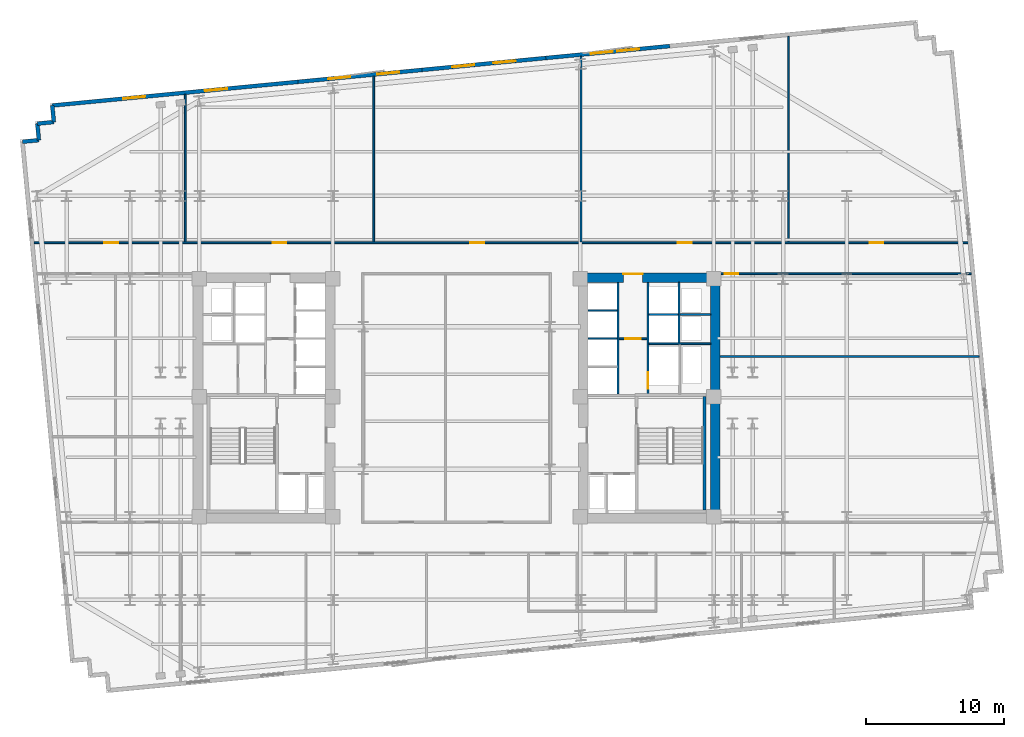
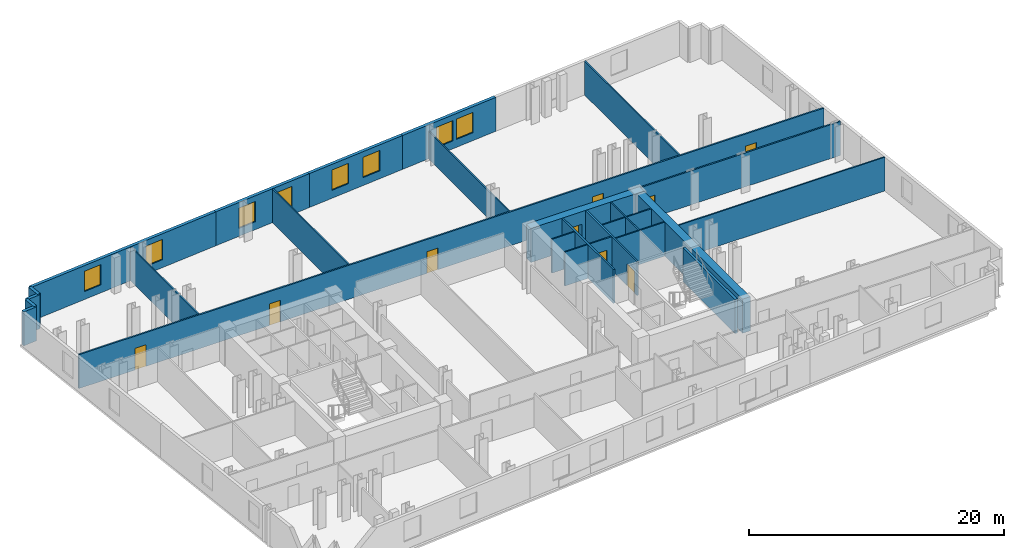
# One storey, part 7 of 10: 27 walls, 9 doors, 8 windows, 17 openings.
"""IFC4 building model written with IfcOpenShell, lengths in metres."""

from ifc_helpers import new_model, si_unit, direction, frame, frame_2d, origin, place, context, subcontext, project, spatial, rectangle, extrude, material, layer, layer_set, type_object, element, fill, save


model = new_model("IFC4")

# Units and contexts
model_context = context("Model", 3, precision=1e-05, world=origin(), true_north=direction((0.0, 1.0)))
body_context = subcontext(model_context, "Body", "Model", "MODEL_VIEW")
ifc_project = project(units=[si_unit("LENGTHUNIT", "METRE"), si_unit("AREAUNIT", "SQUARE_METRE"), si_unit("VOLUMEUNIT", "CUBIC_METRE"), si_unit("PLANEANGLEUNIT", "RADIAN"), si_unit("MASSUNIT", "GRAM", prefix="KILO")], contexts=[model_context])

# Site, building, storey
site_placement = place(None, origin())
site = spatial("IfcSite", under=ifc_project, at=site_placement, CompositionType="ELEMENT")
building_placement = place(site_placement, origin())
building = spatial("IfcBuilding", under=site, at=building_placement, Name="Velakula Bourse", CompositionType="ELEMENT")
storey_placement = place(building_placement, frame((0.0, 0.0, 91.449951171875)))
storey = spatial("IfcBuildingStorey", under=building, at=storey_placement, Name="L24", CompositionType="ELEMENT", Elevation=91.449951171875)

# Wall
ifc_material_1 = material(Name="Concrete M50 (fck 50 MPa)", Category="concrete")
ifc_layer_1 = layer(ifc_material_1, 0.2099609375, Name="Concrete M50 (fck 50 MPa)", Category="concrete")
ifc_layer_set_1 = layer_set([ifc_layer_1], Name="Concrete M50 (fck 50 MPa)")
wall_type_1 = type_object("IfcWallType", Name="WL-CORE-210", PredefinedType="SHEAR", material=ifc_layer_set_1)
wall_1_placement = place(storey_placement, frame((17.925048828125, -8.10009765625, 0.0), z_axis=(0.0, 0.0, 1.0), x_axis=(0.0, 1.0, 0.0)))
element("IfcWall", 1, at=wall_1_placement, inside=storey, type_object=wall_type_1, Name="L24 Core E Stairwell Shear Wall OUT", PredefinedType="SHEAR", context=body_context, shape_type="SweptSolid", body=[
    extrude(rectangle(XDim=8.2001953125, YDim=0.2099609375, at=frame_2d((4.10009765625, 0.0))), origin(), (0.0, 0.0, 1.0), 3.27001953125),
])

# Wall, opening, door
ifc_material_2 = material(Name="Concrete M70 (fck 70 MPa)", Category="concrete")
ifc_layer_2 = layer(ifc_material_2, 0.699951171875, Name="Concrete M70 (fck 70 MPa)", Category="concrete")
ifc_layer_set_2 = layer_set([ifc_layer_2], Name="Concrete M70 (fck 70 MPa)")
wall_type_2 = type_object("IfcWallType", Name="WL-CORE-700", PredefinedType="SHEAR", material=ifc_layer_set_2)
wall_2_placement = place(storey_placement, frame((8.800048828125, 8.699951171875, 0.0), z_axis=(0.0, 0.0, 1.0), x_axis=(1.0, 0.0, 0.0)))
wall_2 = element("IfcWall", 2, at=wall_2_placement, inside=storey, type_object=wall_type_2, Name="L24 Core E Shear Wall N", PredefinedType="SHEAR", context=body_context, shape_type="SweptSolid", body=[
    extrude(rectangle(XDim=10.25, YDim=0.699951171875, at=frame_2d((5.125, 0.0))), origin(), (0.0, 0.0, 1.0), 3.27001953125),
])
opening_1_placement = place(wall_2_placement, frame((3.25, 0.0, 0.0)))
opening_1 = element("IfcOpeningElement", 3, at=opening_1_placement, cuts=wall_2, Name="Opening D-LLE", PredefinedType="OPENING", context=body_context, shape_type="SweptSolid", body=[
    extrude(rectangle(XDim=1.39990234375, YDim=2.050048828125, at=frame_2d((0.699951171875, 1.02490234375))), frame((0.0, 0.35986328125, 0.0), z_axis=(0.0, -1.0, 0.0), x_axis=(1.0, 0.0, 0.0)), (0.0, 0.0, 1.0), 0.719970703125),
])
ifc_material_3 = material(Name="Fire-rated hardwood flush architectural door", Category="wood")
door_type_1 = type_object("IfcDoorType", Name="DR-DBL-FD60-1400", OperationType="DOUBLE_DOOR_SINGLE_SWING", PredefinedType="DOOR", material=ifc_material_3)
door_1_placement = place(opening_1_placement, origin())
door_1 = element("IfcDoor", 4, at=door_1_placement, inside=storey, type_object=door_type_1, Name="L24 Core E Lift Lobby Corridor Double Door", OperationType="DOUBLE_DOOR_SINGLE_SWING", OverallHeight=2.050048828125, OverallWidth=1.39990234375, PredefinedType="DOOR", context=body_context, shape_type="SweptSolid", body=[
    extrude(rectangle(XDim=1.39990234375, YDim=2.050048828125, at=frame_2d((0.699951171875, 1.02490234375))), frame((0.0, 0.294921875, 0.0), z_axis=(0.0, -1.0, 0.0), x_axis=(1.0, 0.0, 0.0)), (0.0, 0.0, 1.0), 0.050048828125),
])
fill(opening_1, door_1)

# Wall
wall_3_placement = place(storey_placement, frame((18.699951171875, -8.35009765625, 0.0), z_axis=(0.0, 0.0, 1.0), x_axis=(0.0, 1.0, 0.0)))
element("IfcWall", 5, at=wall_3_placement, inside=storey, type_object=wall_type_2, Name="L24 Core E Shear Wall E", PredefinedType="SHEAR", context=body_context, shape_type="SweptSolid", body=[
    extrude(rectangle(XDim=16.7001953125, YDim=0.699951171875, at=frame_2d((8.35009765625, 0.0))), origin(), (0.0, 0.0, 1.0), 3.27001953125),
])

# Wall, openings, windows
ifc_material_4 = material(Name="Red kilned clay facing brick masonry", Category="masonry")
ifc_layer_3 = layer(ifc_material_4, 0.280029296875, Name="Red kilned clay facing brick masonry", Category="masonry")
ifc_layer_set_3 = layer_set([ifc_layer_3], Name="Red kilned clay facing brick masonry")
wall_type_3 = type_object("IfcWallType", Name="WL-EXT-BRK-280", PredefinedType="STANDARD", material=ifc_layer_set_3)
wall_4_placement = place(storey_placement, frame((-29.2314453125, 21.138427734375, 0.0), z_axis=(0.0, 0.0, 1.0), x_axis=(0.995395780835, 0.095850088663, 0.0)))
wall_4 = element("IfcWall", 6, at=wall_4_placement, inside=storey, type_object=wall_type_3, Name="L24 N Brick Spandrel Wall B1", PredefinedType="STANDARD", context=body_context, shape_type="SweptSolid", body=[
    extrude(rectangle(XDim=17.83984375, YDim=0.280029296875, at=frame_2d((8.919921875, 0.0))), origin(), (0.0, 0.0, 1.0), 3.25),
])
opening_2_placement = place(wall_4_placement, frame((5.146728515625, 0.0, 0.760009765625)))
opening_2 = element("IfcOpeningElement", 7, at=opening_2_placement, cuts=wall_4, Name="Opening W-02", PredefinedType="OPENING", context=body_context, shape_type="SweptSolid", body=[
    extrude(rectangle(XDim=1.60009765625, YDim=1.949951171875, at=frame_2d((0.800048828125, 0.97509765625))), frame((0.0, 0.14990234375, 0.0), z_axis=(0.0, -1.0, 0.0), x_axis=(1.0, 0.0, 0.0)), (0.0, 0.0, 1.0), 0.300048828125),
])
opening_3_placement = place(wall_4_placement, frame((11.09326171875, 0.0, 0.760009765625)))
opening_3 = element("IfcOpeningElement", 8, at=opening_3_placement, cuts=wall_4, Name="Opening W-02", PredefinedType="OPENING", context=body_context, shape_type="SweptSolid", body=[
    extrude(rectangle(XDim=1.60009765625, YDim=1.949951171875, at=frame_2d((0.800048828125, 0.97509765625))), frame((0.0, 0.14990234375, 0.0), z_axis=(0.0, -1.0, 0.0), x_axis=(1.0, 0.0, 0.0)), (0.0, 0.0, 1.0), 0.300048828125),
])
ifc_material_5 = material(Name="Double-glazed solar-control Low-E glass", Category="glass")
window_type = type_object("IfcWindowType", Name="WIN-TWR-1600x2100", PartitioningType="SINGLE_PANEL", PredefinedType="WINDOW", material=ifc_material_5)
window_1_placement = place(opening_2_placement, origin())
window_1 = element("IfcWindow", 9, at=window_1_placement, inside=storey, type_object=window_type, Name="L24 Deep-Set Recessed Window 1", OverallHeight=1.949951171875, OverallWidth=1.60009765625, PartitioningType="SINGLE_PANEL", PredefinedType="WINDOW", context=body_context, shape_type="SweptSolid", body=[
    extrude(rectangle(XDim=1.60009765625, YDim=1.949951171875, at=frame_2d((0.800048828125, 0.97509765625))), frame((0.0, 0.030029296875, 0.0), z_axis=(0.0, -1.0, 0.0), x_axis=(1.0, 0.0, 0.0)), (0.0, 0.0, 1.0), 0.06005859375),
])
fill(opening_2, window_1)
window_2_placement = place(opening_3_placement, origin())
window_2 = element("IfcWindow", 10, at=window_2_placement, inside=storey, type_object=window_type, Name="L24 Deep-Set Recessed Window 2", OverallHeight=1.949951171875, OverallWidth=1.60009765625, PartitioningType="SINGLE_PANEL", PredefinedType="WINDOW", context=body_context, shape_type="SweptSolid", body=[
    extrude(rectangle(XDim=1.60009765625, YDim=1.949951171875, at=frame_2d((0.800048828125, 0.97509765625))), frame((0.0, 0.030029296875, 0.0), z_axis=(0.0, -1.0, 0.0), x_axis=(1.0, 0.0, 0.0)), (0.0, 0.0, 1.0), 0.06005859375),
])
fill(opening_3, window_2)

wall_5_placement = place(storey_placement, frame((-11.4736328125, 22.848388671875, 0.0), z_axis=(0.0, 0.0, 1.0), x_axis=(0.995396794462, 0.09583956164, 0.0)))
wall_5 = element("IfcWall", 11, at=wall_5_placement, inside=storey, type_object=wall_type_3, Name="L24 N Brick Spandrel Wall B2", PredefinedType="STANDARD", context=body_context, shape_type="SweptSolid", body=[
    extrude(rectangle(XDim=9.0, YDim=0.280029296875, at=frame_2d((4.5, 0.0))), origin(), (0.0, 0.0, 1.0), 3.25),
])
opening_4_placement = place(wall_5_placement, frame((2.199951171875, 0.0, 0.760009765625)))
opening_4 = element("IfcOpeningElement", 12, at=opening_4_placement, cuts=wall_5, Name="Opening W-02", PredefinedType="OPENING", context=body_context, shape_type="SweptSolid", body=[
    extrude(rectangle(XDim=1.60009765625, YDim=1.949951171875, at=frame_2d((0.800048828125, 0.97509765625))), frame((0.0, 0.14990234375, 0.0), z_axis=(0.0, -1.0, 0.0), x_axis=(1.0, 0.0, 0.0)), (0.0, 0.0, 1.0), 0.300048828125),
])
opening_5_placement = place(wall_5_placement, frame((5.75, 0.0, 0.760009765625)))
opening_5 = element("IfcOpeningElement", 13, at=opening_5_placement, cuts=wall_5, Name="Opening W-02", PredefinedType="OPENING", context=body_context, shape_type="SweptSolid", body=[
    extrude(rectangle(XDim=1.60009765625, YDim=1.949951171875, at=frame_2d((0.800048828125, 0.97509765625))), frame((0.0, 0.14990234375, 0.0), z_axis=(0.0, -1.0, 0.0), x_axis=(1.0, 0.0, 0.0)), (0.0, 0.0, 1.0), 0.300048828125),
])
window_3_placement = place(opening_4_placement, origin())
window_3 = element("IfcWindow", 14, at=window_3_placement, inside=storey, type_object=window_type, Name="L24 Deep-Set Recessed Window 1", OverallHeight=1.949951171875, OverallWidth=1.60009765625, PartitioningType="SINGLE_PANEL", PredefinedType="WINDOW", context=body_context, shape_type="SweptSolid", body=[
    extrude(rectangle(XDim=1.60009765625, YDim=1.949951171875, at=frame_2d((0.800048828125, 0.97509765625))), frame((0.0, 0.030029296875, 0.0), z_axis=(0.0, -1.0, 0.0), x_axis=(1.0, 0.0, 0.0)), (0.0, 0.0, 1.0), 0.06005859375),
])
fill(opening_4, window_3)
window_4_placement = place(opening_5_placement, origin())
window_4 = element("IfcWindow", 15, at=window_4_placement, inside=storey, type_object=window_type, Name="L24 Deep-Set Recessed Window 2", OverallHeight=1.949951171875, OverallWidth=1.60009765625, PartitioningType="SINGLE_PANEL", PredefinedType="WINDOW", context=body_context, shape_type="SweptSolid", body=[
    extrude(rectangle(XDim=1.60009765625, YDim=1.949951171875, at=frame_2d((0.800048828125, 0.97509765625))), frame((0.0, 0.030029296875, 0.0), z_axis=(0.0, -1.0, 0.0), x_axis=(1.0, 0.0, 0.0)), (0.0, 0.0, 1.0), 0.06005859375),
])
fill(opening_5, window_4)

wall_6_placement = place(storey_placement, frame((-2.51513671875, 23.7109375, 0.0), z_axis=(0.0, 0.0, 1.0), x_axis=(0.995397043619, 0.095836973841, 0.0)))
wall_6 = element("IfcWall", 16, at=wall_6_placement, inside=storey, type_object=wall_type_3, Name="L24 N Brick Spandrel Wall B3", PredefinedType="STANDARD", context=body_context, shape_type="SweptSolid", body=[
    extrude(rectangle(XDim=9.000244140625, YDim=0.280029296875, at=frame_2d((4.5, 0.0))), origin(), (0.0, 0.0, 1.0), 3.25),
])
opening_6_placement = place(wall_6_placement, frame((2.199951171875, 0.0, 0.760009765625)))
opening_6 = element("IfcOpeningElement", 17, at=opening_6_placement, cuts=wall_6, Name="Opening W-02", PredefinedType="OPENING", context=body_context, shape_type="SweptSolid", body=[
    extrude(rectangle(XDim=1.60009765625, YDim=1.949951171875, at=frame_2d((0.800048828125, 0.97509765625))), frame((0.0, 0.14990234375, 0.0), z_axis=(0.0, -1.0, 0.0), x_axis=(1.0, 0.0, 0.0)), (0.0, 0.0, 1.0), 0.300048828125),
])
opening_7_placement = place(wall_6_placement, frame((5.199951171875, 0.0, 0.760009765625)))
opening_7 = element("IfcOpeningElement", 18, at=opening_7_placement, cuts=wall_6, Name="Opening W-02", PredefinedType="OPENING", context=body_context, shape_type="SweptSolid", body=[
    extrude(rectangle(XDim=1.60009765625, YDim=1.949951171875, at=frame_2d((0.800048828125, 0.97509765625))), frame((0.0, 0.14990234375, 0.0), z_axis=(0.0, -1.0, 0.0), x_axis=(1.0, 0.0, 0.0)), (0.0, 0.0, 1.0), 0.300048828125),
])
window_5_placement = place(opening_6_placement, origin())
window_5 = element("IfcWindow", 19, at=window_5_placement, inside=storey, type_object=window_type, Name="L24 Deep-Set Recessed Window 1", OverallHeight=1.949951171875, OverallWidth=1.60009765625, PartitioningType="SINGLE_PANEL", PredefinedType="WINDOW", context=body_context, shape_type="SweptSolid", body=[
    extrude(rectangle(XDim=1.60009765625, YDim=1.949951171875, at=frame_2d((0.800048828125, 0.97509765625))), frame((0.0, 0.030029296875, 0.0), z_axis=(0.0, -1.0, 0.0), x_axis=(1.0, 0.0, 0.0)), (0.0, 0.0, 1.0), 0.06005859375),
])
fill(opening_6, window_5)
window_6_placement = place(opening_7_placement, origin())
window_6 = element("IfcWindow", 20, at=window_6_placement, inside=storey, type_object=window_type, Name="L24 Deep-Set Recessed Window 2", OverallHeight=1.949951171875, OverallWidth=1.60009765625, PartitioningType="SINGLE_PANEL", PredefinedType="WINDOW", context=body_context, shape_type="SweptSolid", body=[
    extrude(rectangle(XDim=1.60009765625, YDim=1.949951171875, at=frame_2d((0.800048828125, 0.97509765625))), frame((0.0, 0.030029296875, 0.0), z_axis=(0.0, -1.0, 0.0), x_axis=(1.0, 0.0, 0.0)), (0.0, 0.0, 1.0), 0.06005859375),
])
fill(opening_7, window_6)

wall_7_placement = place(storey_placement, frame((6.443603515625, 24.573486328125, 0.0), z_axis=(0.0, 0.0, 1.0), x_axis=(0.995396794462, 0.09583956164, 0.0)))
wall_7 = element("IfcWall", 21, at=wall_7_placement, inside=storey, type_object=wall_type_3, Name="L24 N Brick Spandrel Wall B4", PredefinedType="STANDARD", context=body_context, shape_type="SweptSolid", body=[
    extrude(rectangle(XDim=9.0, YDim=0.280029296875, at=frame_2d((4.5, 0.0))), origin(), (0.0, 0.0, 1.0), 3.25),
])
opening_8_placement = place(wall_7_placement, frame((3.25, 0.0, 0.760009765625)))
opening_8 = element("IfcOpeningElement", 22, at=opening_8_placement, cuts=wall_7, Name="Opening W-02", PredefinedType="OPENING", context=body_context, shape_type="SweptSolid", body=[
    extrude(rectangle(XDim=1.60009765625, YDim=1.949951171875, at=frame_2d((0.800048828125, 0.97509765625))), frame((0.0, 0.14990234375, 0.0), z_axis=(0.0, -1.0, 0.0), x_axis=(1.0, 0.0, 0.0)), (0.0, 0.0, 1.0), 0.300048828125),
])
opening_9_placement = place(wall_7_placement, frame((5.199951171875, 0.0, 0.760009765625)))
opening_9 = element("IfcOpeningElement", 23, at=opening_9_placement, cuts=wall_7, Name="Opening W-02", PredefinedType="OPENING", context=body_context, shape_type="SweptSolid", body=[
    extrude(rectangle(XDim=1.60009765625, YDim=1.949951171875, at=frame_2d((0.800048828125, 0.97509765625))), frame((0.0, 0.14990234375, 0.0), z_axis=(0.0, -1.0, 0.0), x_axis=(1.0, 0.0, 0.0)), (0.0, 0.0, 1.0), 0.300048828125),
])
window_7_placement = place(opening_8_placement, origin())
window_7 = element("IfcWindow", 24, at=window_7_placement, inside=storey, type_object=window_type, Name="L24 Deep-Set Recessed Window 1", OverallHeight=1.949951171875, OverallWidth=1.60009765625, PartitioningType="SINGLE_PANEL", PredefinedType="WINDOW", context=body_context, shape_type="SweptSolid", body=[
    extrude(rectangle(XDim=1.60009765625, YDim=1.949951171875, at=frame_2d((0.800048828125, 0.97509765625))), frame((0.0, 0.030029296875, 0.0), z_axis=(0.0, -1.0, 0.0), x_axis=(1.0, 0.0, 0.0)), (0.0, 0.0, 1.0), 0.06005859375),
])
fill(opening_8, window_7)
window_8_placement = place(opening_9_placement, origin())
window_8 = element("IfcWindow", 25, at=window_8_placement, inside=storey, type_object=window_type, Name="L24 Deep-Set Recessed Window 2", OverallHeight=1.949951171875, OverallWidth=1.60009765625, PartitioningType="SINGLE_PANEL", PredefinedType="WINDOW", context=body_context, shape_type="SweptSolid", body=[
    extrude(rectangle(XDim=1.60009765625, YDim=1.949951171875, at=frame_2d((0.800048828125, 0.97509765625))), frame((0.0, 0.030029296875, 0.0), z_axis=(0.0, -1.0, 0.0), x_axis=(1.0, 0.0, 0.0)), (0.0, 0.0, 1.0), 0.06005859375),
])
fill(opening_9, window_8)

# Walls
for number, where, z_axis, x_axis, name in (
    (26, (-29.2314453125, 21.138427734375, 0.0), (0.0, 0.0, 1.0), (0.095817067274, -0.995398960025, 0.0), "L24 Serrated Corner Brick Wall NW-1"),
    (27, (-29.116455078125, 19.94384765625, 0.0), (0.0, 0.0, 1.0), (-0.995398960025, -0.095817067274, 0.0), "L24 Serrated Corner Brick Wall NW-2"),
):
    element("IfcWall", number, at=place(storey_placement, frame(where, z_axis=z_axis, x_axis=x_axis)), inside=storey, type_object=wall_type_3, Name=name, PredefinedType="STANDARD", context=body_context, shape_type="SweptSolid", body=[
        extrude(rectangle(XDim=1.2001953125, YDim=0.280029296875, at=frame_2d((0.60009765625, 0.0))), origin(), (0.0, 0.0, 1.0), 3.25),
    ])
for number, where, z_axis, x_axis, name in (
    (28, (-30.31103515625, 19.828857421875, 0.0), (0.0, 0.0, 1.0), (0.095836473879, -0.995397091755, 0.0), "L24 Serrated Corner Brick Wall NW-3"),
    (29, (-30.196044921875, 18.634521484375, 0.0), (0.0, 0.0, 1.0), (-0.995397091755, -0.095836473879, 0.0), "L24 Serrated Corner Brick Wall NW-4"),
):
    element("IfcWall", number, at=place(storey_placement, frame(where, z_axis=z_axis, x_axis=x_axis)), inside=storey, type_object=wall_type_3, Name=name, PredefinedType="STANDARD", context=body_context, shape_type="SweptSolid", body=[
        extrude(rectangle(XDim=1.199951171875, YDim=0.280029296875, at=frame_2d((0.60009765625, 0.0))), origin(), (0.0, 0.0, 1.0), 3.25),
    ])

# Wall, opening, door
ifc_material_6 = material(Name="Fire-rated double-layer gypsum drywall partition", Category="gypsum")
ifc_layer_4 = layer(ifc_material_6, 0.1201171875, Name="Fire-rated double-layer gypsum drywall partition", Category="gypsum")
ifc_layer_set_4 = layer_set([ifc_layer_4], Name="Fire-rated double-layer gypsum drywall partition")
wall_type_4 = type_object("IfcWallType", Name="WL-PART-120", PredefinedType="STANDARD", material=ifc_layer_set_4)
wall_8_placement = place(storey_placement, frame((11.75, 4.280029296875, 0.0), z_axis=(0.0, 0.0, 1.0), x_axis=(1.0, 0.0, 0.0)))
wall_8 = element("IfcWall", 30, at=wall_8_placement, inside=storey, type_object=wall_type_4, Name="L24 Interior Partition WL-CRE-L24-LL-K2", PredefinedType="STANDARD", context=body_context, shape_type="SweptSolid", body=[
    extrude(rectangle(XDim=2.0, YDim=0.1201171875, at=frame_2d((1.0, 0.0))), origin(), (0.0, 0.0, 1.0), 3.25),
])
opening_10_placement = place(wall_8_placement, frame((0.449951171875, 0.0, 0.0)))
opening_10 = element("IfcOpeningElement", 31, at=opening_10_placement, cuts=wall_8, Name="Opening D-LK2", PredefinedType="OPENING", context=body_context, shape_type="SweptSolid", body=[
    extrude(rectangle(XDim=1.10009765625, YDim=2.10009765625, at=frame_2d((0.550048828125, 1.050048828125))), frame((0.0, 0.070068359375, 0.0), z_axis=(0.0, -1.0, 0.0), x_axis=(1.0, 0.0, 0.0)), (0.0, 0.0, 1.0), 0.14013671875),
])
door_type_2 = type_object("IfcDoorType", Name="DR-FD60-1100x2100", OperationType="NOTDEFINED", PredefinedType="DOOR", material=ifc_material_3)
door_2_placement = place(opening_10_placement, origin())
door_2 = element("IfcDoor", 32, at=door_2_placement, inside=storey, type_object=door_type_2, Name="L24 Core E Lift Lobby Zone Door", OperationType="SINGLE_SWING_LEFT", OverallHeight=2.10009765625, OverallWidth=1.10009765625, PredefinedType="DOOR", context=body_context, shape_type="SweptSolid", body=[
    extrude(rectangle(XDim=1.10009765625, YDim=2.10009765625, at=frame_2d((0.550048828125, 1.050048828125))), frame((0.0, 0.02490234375, 0.0), z_axis=(0.0, -1.0, 0.0), x_axis=(1.0, 0.0, 0.0)), (0.0, 0.0, 1.0), 0.050048828125),
])
fill(opening_10, door_2)

# Walls
for number, where, z_axis, x_axis, name in (
    (33, (9.5, 4.284912109375, 0.0), (0.0, 0.0, 1.0), (1.0, 0.0, 0.0), "L24 Interior Partition WL-CRE-L24-BDIV-1"),
    (34, (9.5, 6.31494140625, 0.0), (0.0, 0.0, 1.0), (1.0, 0.0, 0.0), "L24 Interior Partition WL-CRE-L24-BDIV-2"),
):
    element("IfcWall", number, at=place(storey_placement, frame(where, z_axis=z_axis, x_axis=x_axis)), inside=storey, type_object=wall_type_4, Name=name, PredefinedType="STANDARD", context=body_context, shape_type="SweptSolid", body=[
        extrude(rectangle(XDim=2.10009765625, YDim=0.110107421875, at=frame_2d((1.050048828125, 0.0))), origin(), (0.0, 0.0, 1.0), 3.25),
    ])
wall_9_placement = place(storey_placement, frame((13.89990234375, 3.919921875, 0.0), z_axis=(0.0, 0.0, 1.0), x_axis=(1.0, 0.0, 0.0)))
element("IfcWall", 35, at=wall_9_placement, inside=storey, type_object=wall_type_4, Name="L24 Interior Partition WL-CRE-L24-HI-S", PredefinedType="STANDARD", context=body_context, shape_type="SweptSolid", body=[
    extrude(rectangle(XDim=4.4501953125, YDim=0.1201171875, at=frame_2d((2.22509765625, 0.0))), origin(), (0.0, 0.0, 1.0), 3.25),
])
wall_10_placement = place(storey_placement, frame((16.14990234375, 6.030029296875, 0.0), z_axis=(0.0, 0.0, 1.0), x_axis=(1.0, 0.0, 0.0)))
element("IfcWall", 36, at=wall_10_placement, inside=storey, type_object=wall_type_4, Name="L24 Interior Partition WL-CRE-L24-RIS-MID", PredefinedType="STANDARD", context=body_context, shape_type="SweptSolid", body=[
    extrude(rectangle(XDim=2.2001953125, YDim=0.1201171875, at=frame_2d((1.10009765625, 0.0))), origin(), (0.0, 0.0, 1.0), 3.25),
])
wall_11_placement = place(storey_placement, frame((16.074951171875, 3.97998046875, 0.0), z_axis=(0.0, 0.0, 1.0), x_axis=(0.0, 1.0, 0.0)))
element("IfcWall", 37, at=wall_11_placement, inside=storey, type_object=wall_type_4, Name="L24 Interior Partition WL-CRE-L24-RIS-F", PredefinedType="STANDARD", context=body_context, shape_type="SweptSolid", body=[
    extrude(rectangle(XDim=4.3701171875, YDim=0.1201171875, at=frame_2d((2.18505859375, 0.0))), origin(), (0.0, 0.0, 1.0), 3.25),
])
wall_12_placement = place(storey_placement, frame((13.89990234375, 6.030029296875, 0.0), z_axis=(0.0, 0.0, 1.0), x_axis=(1.0, 0.0, 0.0)))
element("IfcWall", 38, at=wall_12_placement, inside=storey, type_object=wall_type_4, Name="L24 Interior Partition WL-CRE-L24-HI-DIV", PredefinedType="STANDARD", context=body_context, shape_type="SweptSolid", body=[
    extrude(rectangle(XDim=2.10009765625, YDim=0.1201171875, at=frame_2d((1.050048828125, 0.0))), origin(), (0.0, 0.0, 1.0), 3.25),
])
wall_13_placement = place(storey_placement, frame((-19.614990234375, 11.2900390625, 0.0), z_axis=(0.0, 0.0, 1.0), x_axis=(0.0, 1.0, 0.0)))
element("IfcWall", 39, at=wall_13_placement, inside=storey, type_object=wall_type_4, Name="L24 Interior Partition WL-INT-L24-N-D1", PredefinedType="STANDARD", context=body_context, shape_type="SweptSolid", body=[
    extrude(rectangle(XDim=10.65380859375, YDim=0.1201171875, at=frame_2d((5.326904296875, 0.0))), origin(), (0.0, 0.0, 1.0), 3.25),
])
wall_14_placement = place(storey_placement, frame((-5.992919921875, 11.2900390625, 0.0), z_axis=(0.0, 0.0, 1.0), x_axis=(0.0, 1.0, 0.0)))
element("IfcWall", 40, at=wall_14_placement, inside=storey, type_object=wall_type_4, Name="L24 Interior Partition WL-INT-L24-N-D2", PredefinedType="STANDARD", context=body_context, shape_type="SweptSolid", body=[
    extrude(rectangle(XDim=11.965576171875, YDim=0.1201171875, at=frame_2d((5.98291015625, 0.0))), origin(), (0.0, 0.0, 1.0), 3.25),
])
wall_15_placement = place(storey_placement, frame((8.990966796875, 11.2900390625, 0.0), z_axis=(0.0, 0.0, 1.0), x_axis=(0.0, 1.0, 0.0)))
element("IfcWall", 41, at=wall_15_placement, inside=storey, type_object=wall_type_4, Name="L24 Interior Partition WL-INT-L24-N-D3", PredefinedType="STANDARD", context=body_context, shape_type="SweptSolid", body=[
    extrude(rectangle(XDim=13.408203125, YDim=0.1201171875, at=frame_2d((6.7041015625, 0.0))), origin(), (0.0, 0.0, 1.0), 2.64501953125),
])
wall_16_placement = place(storey_placement, frame((23.97607421875, 11.2900390625, 0.0), z_axis=(0.0, 0.0, 1.0), x_axis=(0.0, 1.0, 0.0)))
element("IfcWall", 42, at=wall_16_placement, inside=storey, type_object=wall_type_4, Name="L24 Interior Partition WL-INT-L24-N-D4", PredefinedType="STANDARD", context=body_context, shape_type="SweptSolid", body=[
    extrude(rectangle(XDim=14.85107421875, YDim=0.1201171875, at=frame_2d((7.425537109375, 0.0))), origin(), (0.0, 0.0, 1.0), 3.25),
])
wall_17_placement = place(storey_placement, frame((19.050048828125, 3.0, 0.0), z_axis=(0.0, 0.0, 1.0), x_axis=(1.0, 0.0, 0.0)))
element("IfcWall", 43, at=wall_17_placement, inside=storey, type_object=wall_type_4, Name="L24 Interior Partition WL-INT-L24-E-H", PredefinedType="STANDARD", context=body_context, shape_type="SweptSolid", body=[
    extrude(rectangle(XDim=18.725341796875, YDim=0.1201171875, at=frame_2d((9.36279296875, 0.0))), origin(), (0.0, 0.0, 1.0), 3.25),
])

# Wall, openings, doors
ifc_layer_5 = layer(ifc_material_6, 0.139892578125, Name="Fire-rated double-layer gypsum drywall partition", Category="gypsum")
ifc_layer_set_5 = layer_set([ifc_layer_5], Name="Fire-rated double-layer gypsum drywall partition")
wall_type_5 = type_object("IfcWallType", Name="WL-PART-140", PredefinedType="STANDARD", material=ifc_layer_set_5)
wall_18_placement = place(storey_placement, frame((-30.56689453125, 11.219970703125, 0.0), z_axis=(0.0, 0.0, 1.0), x_axis=(1.0, 0.0, 0.0)))
wall_18 = element("IfcWall", 44, at=wall_18_placement, inside=storey, type_object=wall_type_5, Name="L24 Interior Partition WL-INT-L24-N-CORR", PredefinedType="STANDARD", context=body_context, shape_type="SweptSolid", body=[
    extrude(rectangle(XDim=67.55078125, YDim=0.139892578125, at=frame_2d((33.775390625, 0.0))), origin(), (0.0, 0.0, 1.0), 3.25),
])
opening_11_placement = place(wall_18_placement, frame((5.10205078125, 0.0, 0.0)))
opening_11 = element("IfcOpeningElement", 45, at=opening_11_placement, cuts=wall_18, Name="Opening D-OF1", PredefinedType="OPENING", context=body_context, shape_type="SweptSolid", body=[
    extrude(rectangle(XDim=1.0, YDim=2.080078125, at=frame_2d((0.5, 1.0400390625))), frame((0.0, 0.079833984375, 0.0), z_axis=(0.0, -1.0, 0.0), x_axis=(1.0, 0.0, 0.0)), (0.0, 0.0, 1.0), 0.159912109375),
])
opening_12_placement = place(wall_18_placement, frame((17.262939453125, 0.0, 0.0)))
opening_12 = element("IfcOpeningElement", 46, at=opening_12_placement, cuts=wall_18, Name="Opening D-OF1", PredefinedType="OPENING", context=body_context, shape_type="SweptSolid", body=[
    extrude(rectangle(XDim=1.0, YDim=2.080078125, at=frame_2d((0.5, 1.0400390625))), frame((0.0, 0.079833984375, 0.0), z_axis=(0.0, -1.0, 0.0), x_axis=(1.0, 0.0, 0.0)), (0.0, 0.0, 1.0), 0.159912109375),
])
opening_13_placement = place(wall_18_placement, frame((31.56591796875, 0.0, 0.0)))
opening_13 = element("IfcOpeningElement", 47, at=opening_13_placement, cuts=wall_18, Name="Opening D-OF1", PredefinedType="OPENING", context=body_context, shape_type="SweptSolid", body=[
    extrude(rectangle(XDim=1.0, YDim=2.080078125, at=frame_2d((0.5, 1.0400390625))), frame((0.0, 0.079833984375, 0.0), z_axis=(0.0, -1.0, 0.0), x_axis=(1.0, 0.0, 0.0)), (0.0, 0.0, 1.0), 0.159912109375),
])
opening_14_placement = place(wall_18_placement, frame((46.550537109375, 0.0, 0.0)))
opening_14 = element("IfcOpeningElement", 48, at=opening_14_placement, cuts=wall_18, Name="Opening D-OF1", PredefinedType="OPENING", context=body_context, shape_type="SweptSolid", body=[
    extrude(rectangle(XDim=1.0, YDim=2.080078125, at=frame_2d((0.5, 1.0400390625))), frame((0.0, 0.079833984375, 0.0), z_axis=(0.0, -1.0, 0.0), x_axis=(1.0, 0.0, 0.0)), (0.0, 0.0, 1.0), 0.159912109375),
])
opening_15_placement = place(wall_18_placement, frame((60.4208984375, 0.0, 0.0)))
opening_15 = element("IfcOpeningElement", 49, at=opening_15_placement, cuts=wall_18, Name="Opening D-OF1", PredefinedType="OPENING", context=body_context, shape_type="SweptSolid", body=[
    extrude(rectangle(XDim=1.0, YDim=2.080078125, at=frame_2d((0.5, 1.0400390625))), frame((0.0, 0.079833984375, 0.0), z_axis=(0.0, -1.0, 0.0), x_axis=(1.0, 0.0, 0.0)), (0.0, 0.0, 1.0), 0.159912109375),
])
door_type_3 = type_object("IfcDoorType", Name="DR-OFF-1000", OperationType="NOTDEFINED", PredefinedType="DOOR", material=ifc_material_3)
door_3_placement = place(opening_11_placement, origin())
door_3 = element("IfcDoor", 50, at=door_3_placement, inside=storey, type_object=door_type_3, Name="L24 Quantitative Research Workspace Door", OperationType="SINGLE_SWING_LEFT", OverallHeight=2.080078125, OverallWidth=1.0, PredefinedType="DOOR", context=body_context, shape_type="SweptSolid", body=[
    extrude(rectangle(XDim=1.0, YDim=2.080078125, at=frame_2d((0.5, 1.0400390625))), frame((0.0, 0.02490234375, 0.0), z_axis=(0.0, -1.0, 0.0), x_axis=(1.0, 0.0, 0.0)), (0.0, 0.0, 1.0), 0.050048828125),
])
fill(opening_11, door_3)
door_4_placement = place(opening_12_placement, origin())
door_4 = element("IfcDoor", 51, at=door_4_placement, inside=storey, type_object=door_type_3, Name="L24 Executive Boardroom Door", OperationType="SINGLE_SWING_RIGHT", OverallHeight=2.080078125, OverallWidth=1.0, PredefinedType="DOOR", context=body_context, shape_type="SweptSolid", body=[
    extrude(rectangle(XDim=1.0, YDim=2.080078125, at=frame_2d((0.5, 1.0400390625))), frame((0.0, 0.02490234375, 0.0), z_axis=(0.0, -1.0, 0.0), x_axis=(1.0, 0.0, 0.0)), (0.0, 0.0, 1.0), 0.050048828125),
])
fill(opening_12, door_4)
door_5_placement = place(opening_13_placement, origin())
door_5 = element("IfcDoor", 52, at=door_5_placement, inside=storey, type_object=door_type_3, Name="L24 Catering Servery Pantry Door", OperationType="SINGLE_SWING_LEFT", OverallHeight=2.080078125, OverallWidth=1.0, PredefinedType="DOOR", context=body_context, shape_type="SweptSolid", body=[
    extrude(rectangle(XDim=1.0, YDim=2.080078125, at=frame_2d((0.5, 1.0400390625))), frame((0.0, 0.02490234375, 0.0), z_axis=(0.0, -1.0, 0.0), x_axis=(1.0, 0.0, 0.0)), (0.0, 0.0, 1.0), 0.050048828125),
])
fill(opening_13, door_5)
door_6_placement = place(opening_14_placement, origin())
door_6 = element("IfcDoor", 53, at=door_6_placement, inside=storey, type_object=door_type_3, Name="L24 Breakout Dining Lounge Door", OperationType="SINGLE_SWING_RIGHT", OverallHeight=2.080078125, OverallWidth=1.0, PredefinedType="DOOR", context=body_context, shape_type="SweptSolid", body=[
    extrude(rectangle(XDim=1.0, YDim=2.080078125, at=frame_2d((0.5, 1.0400390625))), frame((0.0, 0.02490234375, 0.0), z_axis=(0.0, -1.0, 0.0), x_axis=(1.0, 0.0, 0.0)), (0.0, 0.0, 1.0), 0.050048828125),
])
fill(opening_14, door_6)
door_7_placement = place(opening_15_placement, origin())
door_7 = element("IfcDoor", 54, at=door_7_placement, inside=storey, type_object=door_type_3, Name="L24 General Counsel Office Door", OperationType="SINGLE_SWING_LEFT", OverallHeight=2.080078125, OverallWidth=1.0, PredefinedType="DOOR", context=body_context, shape_type="SweptSolid", body=[
    extrude(rectangle(XDim=1.0, YDim=2.080078125, at=frame_2d((0.5, 1.0400390625))), frame((0.0, 0.02490234375, 0.0), z_axis=(0.0, -1.0, 0.0), x_axis=(1.0, 0.0, 0.0)), (0.0, 0.0, 1.0), 0.050048828125),
])
fill(opening_15, door_7)

# Wall, opening, door
wall_19_placement = place(storey_placement, frame((19.050048828125, 8.97998046875, 0.0), z_axis=(0.0, 0.0, 1.0), x_axis=(1.0, 0.0, 0.0)))
wall_19 = element("IfcWall", 55, at=wall_19_placement, inside=storey, type_object=wall_type_5, Name="L24 Interior Partition WL-INT-L24-E-NC", PredefinedType="STANDARD", context=body_context, shape_type="SweptSolid", body=[
    extrude(rectangle(XDim=18.149658203125, YDim=0.139892578125, at=frame_2d((9.07470703125, 0.0))), origin(), (0.0, 0.0, 1.0), 3.25),
])
opening_16_placement = place(wall_19_placement, frame((0.320068359375, 0.0, 0.0)))
opening_16 = element("IfcOpeningElement", 56, at=opening_16_placement, cuts=wall_19, Name="Opening D-OF1", PredefinedType="OPENING", context=body_context, shape_type="SweptSolid", body=[
    extrude(rectangle(XDim=1.0, YDim=2.080078125, at=frame_2d((0.5, 1.0400390625))), frame((0.0, 0.079833984375, 0.0), z_axis=(0.0, -1.0, 0.0), x_axis=(1.0, 0.0, 0.0)), (0.0, 0.0, 1.0), 0.159912109375),
])
door_8_placement = place(opening_16_placement, origin())
door_8 = element("IfcDoor", 57, at=door_8_placement, inside=storey, type_object=door_type_3, Name="L24 Primary Dealer Office Door", OperationType="SINGLE_SWING_LEFT", OverallHeight=2.080078125, OverallWidth=1.0, PredefinedType="DOOR", context=body_context, shape_type="SweptSolid", body=[
    extrude(rectangle(XDim=1.0, YDim=2.080078125, at=frame_2d((0.5, 1.0400390625))), frame((0.0, 0.02490234375, 0.0), z_axis=(0.0, -1.0, 0.0), x_axis=(1.0, 0.0, 0.0)), (0.0, 0.0, 1.0), 0.050048828125),
])
fill(opening_16, door_8)

# Wall
ifc_material_7 = material(Name="Autoclaved aerated concrete blockwork masonry", Category="masonry")
ifc_layer_6 = layer(ifc_material_7, 0.14990234375, Name="Autoclaved aerated concrete blockwork masonry", Category="masonry")
ifc_layer_set_6 = layer_set([ifc_layer_6], Name="Autoclaved aerated concrete blockwork masonry")
wall_type_6 = type_object("IfcWallType", Name="WL-SHAFT-150", PredefinedType="STANDARD", material=ifc_layer_set_6)
wall_20_placement = place(storey_placement, frame((11.675048828125, 0.27001953125, 0.0), z_axis=(0.0, 0.0, 1.0), x_axis=(0.0, 1.0, 0.0)))
element("IfcWall", 58, at=wall_20_placement, inside=storey, type_object=wall_type_6, Name="L24 Interior Partition WL-CRE-L24-BANK-F", PredefinedType="STANDARD", context=body_context, shape_type="SweptSolid", body=[
    extrude(rectangle(XDim=8.080078125, YDim=0.14990234375, at=frame_2d((4.0400390625, 0.0))), origin(), (0.0, 0.0, 1.0), 3.25),
])

# Wall, opening, door
wall_21_placement = place(storey_placement, frame((13.824951171875, 0.27001953125, 0.0), z_axis=(0.0, 0.0, 1.0), x_axis=(0.0, 1.0, 0.0)))
wall_21 = element("IfcWall", 59, at=wall_21_placement, inside=storey, type_object=wall_type_6, Name="L24 Interior Partition WL-CRE-L24-OUT-F", PredefinedType="STANDARD", context=body_context, shape_type="SweptSolid", body=[
    extrude(rectangle(XDim=8.080078125, YDim=0.14990234375, at=frame_2d((4.0400390625, 0.0))), origin(), (0.0, 0.0, 1.0), 3.25),
])
opening_17_placement = place(wall_21_placement, frame((0.3798828125, 0.0, 0.0)))
opening_17 = element("IfcOpeningElement", 60, at=opening_17_placement, cuts=wall_21, Name="Opening LD-SVL1", PredefinedType="OPENING", context=body_context, shape_type="SweptSolid", body=[
    extrude(rectangle(XDim=1.199951171875, YDim=2.10009765625, at=frame_2d((0.60009765625, 1.050048828125))), frame((0.0, 0.0849609375, 0.0), z_axis=(0.0, -1.0, 0.0), x_axis=(1.0, 0.0, 0.0)), (0.0, 0.0, 1.0), 0.169921875),
])
ifc_material_8 = material(Name="Brushed grade 316 stainless steel", Category="steel")
door_type_4 = type_object("IfcDoorType", Name="DR-SLIDE-LD-1200", OperationType="DOUBLE_DOOR_SLIDING", PredefinedType="DOOR", material=ifc_material_8)
door_9_placement = place(opening_17_placement, origin())
door_9 = element("IfcDoor", 61, at=door_9_placement, inside=storey, type_object=door_type_4, Name="L24 Service Lift SVL-1 Sliding Landing Door", OperationType="DOUBLE_DOOR_SLIDING", OverallHeight=2.10009765625, OverallWidth=1.199951171875, PredefinedType="DOOR", context=body_context, shape_type="SweptSolid", body=[
    extrude(rectangle(XDim=1.199951171875, YDim=2.10009765625, at=frame_2d((0.60009765625, 1.050048828125))), frame((0.0, 0.02490234375, 0.0), z_axis=(0.0, -1.0, 0.0), x_axis=(1.0, 0.0, 0.0)), (0.0, 0.0, 1.0), 0.050048828125),
])
fill(opening_17, door_9)

save(model, "model.ifc")
